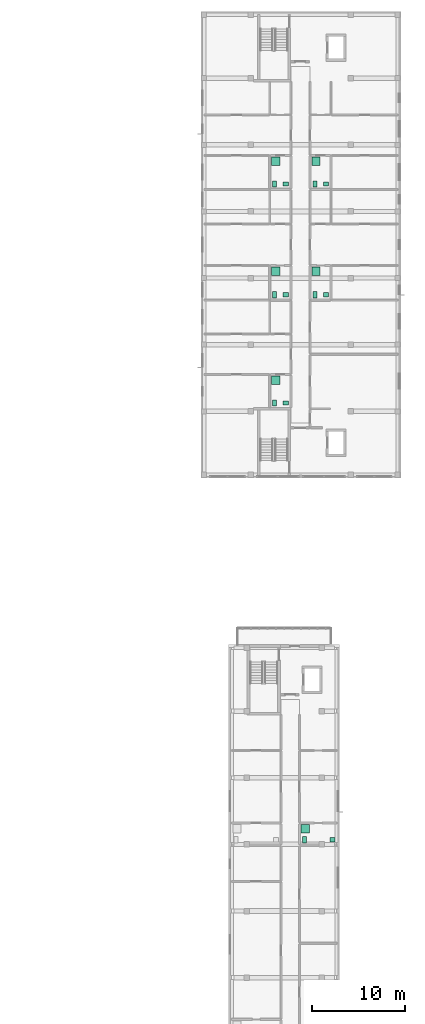
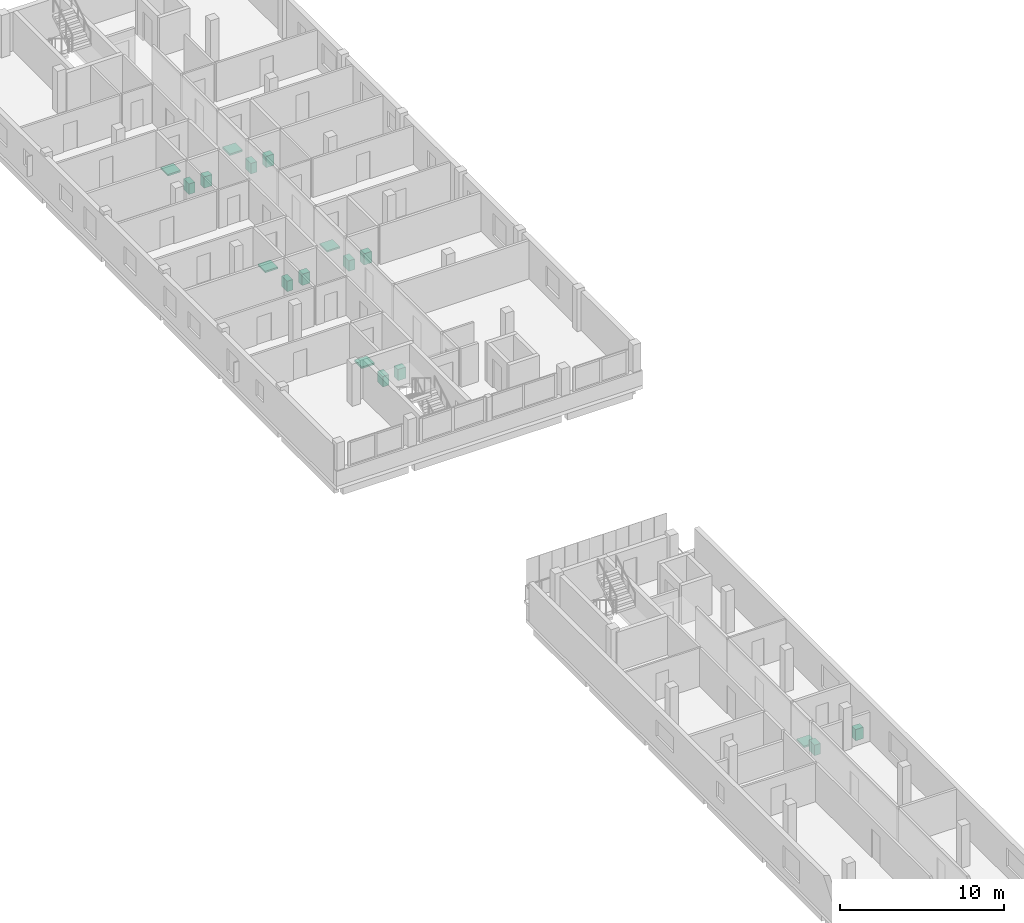
# One storey, part 35 of 35: 18 sanitary terminals.
"""IFC4 building model written with IfcOpenShell, lengths in metres."""

from ifc_helpers import new_model, si_unit, derived_unit, direction, frame, origin, origin_2d, place, context, subcontext, project, spatial, rectangle, extrude, material, type_object, element, save


model = new_model("IFC4")

# Units and contexts
model_context = context("Model", 3, precision=1e-05, world=origin(), true_north=direction((0.0, 1.0)))
body_context = subcontext(model_context, "Body", "Model", "MODEL_VIEW")
ifc_project = project(units=[si_unit("LENGTHUNIT", "METRE"), si_unit("AREAUNIT", "SQUARE_METRE"), si_unit("VOLUMEUNIT", "CUBIC_METRE"), si_unit("PLANEANGLEUNIT", "RADIAN"), si_unit("MASSUNIT", "GRAM", prefix="KILO"), derived_unit("THERMALTRANSMITTANCEUNIT", [(si_unit("MASSUNIT", "GRAM", prefix="KILO"), 1), (si_unit("TIMEUNIT", "SECOND"), -3), (si_unit("THERMODYNAMICTEMPERATUREUNIT", "KELVIN"), -1)])], contexts=[model_context])

# Site, building, storey
site_placement = place(None, origin())
site = spatial("IfcSite", under=ifc_project, at=site_placement, CompositionType="ELEMENT")
building_placement = place(site_placement, origin())
building = spatial("IfcBuilding", under=site, at=building_placement, Name="Ochrekiln Boulevard Commons", CompositionType="ELEMENT")
storey_placement = place(building_placement, frame((0.0, 0.0, 30.97509765625)))
storey = spatial("IfcBuildingStorey", under=building, at=storey_placement, Name="L09", CompositionType="ELEMENT", Elevation=30.97509765625)

# Sanitary terminals
ifc_material = material(Name="Vitreous china sanitaryware")
sanitary_terminal_type_1 = type_object("IfcSanitaryTerminalType", Name="SAN-BAS", PredefinedType="WASHHANDBASIN", material=ifc_material)
for number, where, z_axis, x_axis, name in (
    (1, (160.3701171875, 76.5, 0.0), (0.0, 0.0, 1.0), (1.0, 0.0, 0.0), "L09 Washhand Basin Fixture"),
    (2, (160.3701171875, 88.2060546875, 0.0), (0.0, 0.0, 1.0), (1.0, 0.0, 0.0), "L09 Washhand Basin Fixture"),
    (3, (160.3701171875, 100.174072265625, 0.0), (0.0, 0.0, 1.0), (1.0, 0.0, 0.0), "L09 Washhand Basin Fixture"),
    (4, (164.72998046875, 88.2060546875, 0.0), (0.0, 0.0, 1.0), (1.0, 0.0, 0.0), "L09 Washhand Basin Fixture"),
    (5, (164.72998046875, 100.174072265625, 0.0), (0.0, 0.0, 1.0), (1.0, 0.0, 0.0), "L09 Washhand Basin Fixture"),
    (6, (165.39990234375, 29.31005859375, 0.0), (0.0, 0.0, 1.0), (1.0, 0.0, 0.0), "L09 Washhand Basin Fixture"),
):
    element("IfcSanitaryTerminal", number, at=place(storey_placement, frame(where, z_axis=z_axis, x_axis=x_axis)), inside=storey, type_object=sanitary_terminal_type_1, Name=name, PredefinedType="WASHHANDBASIN", context=body_context, shape_type="SweptSolid", body=[
        extrude(rectangle(XDim=0.550048828125, YDim=0.4599609375, at=origin_2d()), origin(), (0.0, 0.0, 1.0), 0.840087890625),
    ])
sanitary_terminal_type_2 = type_object("IfcSanitaryTerminalType", Name="SAN-SHW", PredefinedType="SHOWER", material=ifc_material)
for number, where, z_axis, x_axis, name in (
    (7, (159.27001953125, 78.943115234375, -0.000244140625), (0.0, 0.0, 1.0), (1.0, 0.0, 0.0), "L09 Shower Receptor"),
    (8, (159.27001953125, 90.72998046875, -0.000244140625), (0.0, 0.0, 1.0), (1.0, 0.0, 0.0), "L09 Shower Receptor"),
    (9, (159.27001953125, 102.616943359375, -0.000244140625), (0.0, 0.0, 1.0), (1.0, 0.0, 0.0), "L09 Shower Receptor"),
    (10, (163.6298828125, 90.72998046875, -0.000244140625), (0.0, 0.0, 1.0), (1.0, 0.0, 0.0), "L09 Shower Receptor"),
    (11, (163.6298828125, 102.616943359375, -0.000244140625), (0.0, 0.0, 1.0), (1.0, 0.0, 0.0), "L09 Shower Receptor"),
    (12, (162.47998046875, 30.47998046875, -0.000244140625), (0.0, 0.0, 1.0), (1.0, 0.0, 0.0), "L09 Shower Receptor"),
):
    element("IfcSanitaryTerminal", number, at=place(storey_placement, frame(where, z_axis=z_axis, x_axis=x_axis)), inside=storey, type_object=sanitary_terminal_type_2, Name=name, PredefinedType="SHOWER", context=body_context, shape_type="SweptSolid", body=[
        extrude(rectangle(XDim=0.89990234375, YDim=0.89990234375, at=origin_2d()), origin(), (0.0, 0.0, 1.0), 0.1201171875),
    ])
sanitary_terminal_type_3 = type_object("IfcSanitaryTerminalType", Name="SAN-WC", PredefinedType="TOILETPAN", material=ifc_material)
for number, where, z_axis, x_axis, name in (
    (13, (159.169921875, 76.5, 0.0), (0.0, 0.0, 1.0), (1.0, 0.0, 0.0), "L09 Water Closet Fixture"),
    (14, (159.169921875, 88.2060546875, 0.0), (0.0, 0.0, 1.0), (1.0, 0.0, 0.0), "L09 Water Closet Fixture"),
    (15, (159.169921875, 100.174072265625, 0.0), (0.0, 0.0, 1.0), (1.0, 0.0, 0.0), "L09 Water Closet Fixture"),
    (16, (163.530029296875, 88.2060546875, 0.0), (0.0, 0.0, 1.0), (1.0, 0.0, 0.0), "L09 Water Closet Fixture"),
    (17, (163.530029296875, 100.174072265625, 0.0), (0.0, 0.0, 1.0), (1.0, 0.0, 0.0), "L09 Water Closet Fixture"),
    (18, (162.3798828125, 29.31005859375, 0.0), (0.0, 0.0, 1.0), (1.0, 0.0, 0.0), "L09 Water Closet Fixture"),
):
    element("IfcSanitaryTerminal", number, at=place(storey_placement, frame(where, z_axis=z_axis, x_axis=x_axis)), inside=storey, type_object=sanitary_terminal_type_3, Name=name, PredefinedType="TOILETPAN", context=body_context, shape_type="SweptSolid", body=[
        extrude(rectangle(XDim=0.419921875, YDim=0.679931640625, at=origin_2d()), origin(), (0.0, 0.0, 1.0), 0.780029296875),
    ])

save(model, "model.ifc")
